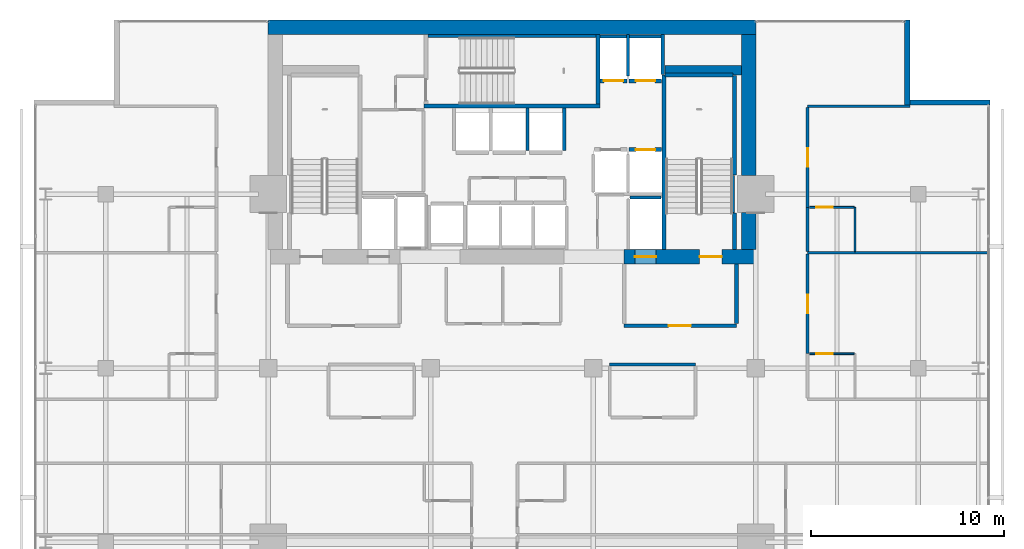
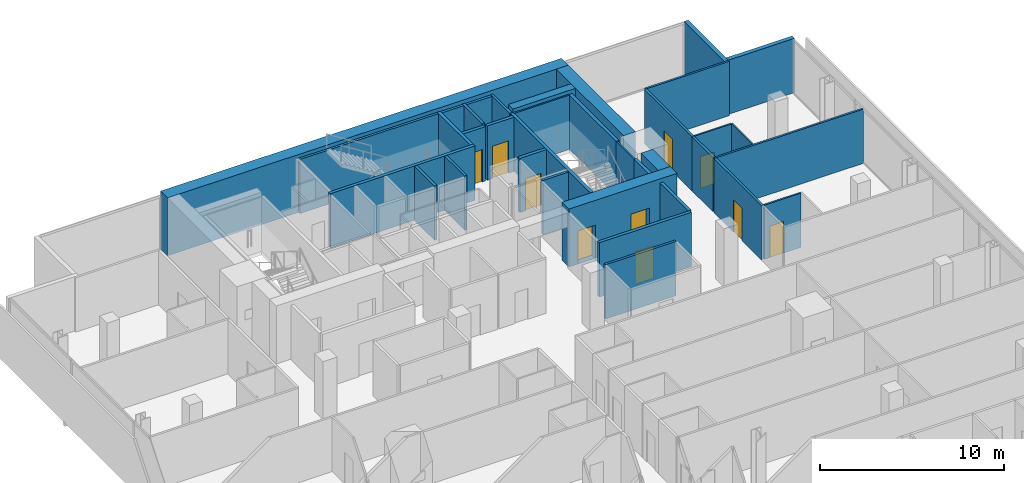
# One storey, part 31 of 34: 35 walls, 10 doors, 10 openings.
"""IFC4 building model written with IfcOpenShell, lengths in metres."""

from ifc_helpers import new_model, si_unit, direction, frame, frame_2d, origin, place, context, subcontext, project, spatial, rectangle, extrude, material, layer, layer_set, type_object, element, fill, save


model = new_model("IFC4")

# Units and contexts
model_context = context("Model", 3, precision=1e-05, world=origin(), true_north=direction((0.0, 1.0)))
body_context = subcontext(model_context, "Body", "Model", "MODEL_VIEW")
ifc_project = project(units=[si_unit("LENGTHUNIT", "METRE"), si_unit("AREAUNIT", "SQUARE_METRE"), si_unit("VOLUMEUNIT", "CUBIC_METRE"), si_unit("PLANEANGLEUNIT", "RADIAN"), si_unit("MASSUNIT", "GRAM", prefix="KILO")], contexts=[model_context])

# Site, building, storey
site_placement = place(None, origin())
site = spatial("IfcSite", under=ifc_project, at=site_placement, CompositionType="ELEMENT")
building_placement = place(site_placement, origin())
building = spatial("IfcBuilding", under=site, at=building_placement, Name="Maruvema Waterfront Hotel and Observation Tower", CompositionType="ELEMENT")
storey_placement = place(building_placement, frame((0.0, 0.0, 192.85009765625)))
storey = spatial("IfcBuildingStorey", under=building, at=storey_placement, Name="L47", CompositionType="ELEMENT", Elevation=192.85009765625)

# Wall
ifc_material_1 = material(Name="Twin-stud acoustic gypsum drywall", Category="gypsum")
ifc_layer_1 = layer(ifc_material_1, 0.14990234375, Name="Acoustic Corridor and Suite Demising Wall 150 mm")
ifc_layer_set_1 = layer_set([ifc_layer_1], Name="Twin-stud acoustic gypsum drywall")
wall_type_1 = type_object("IfcWallType", Name="Acoustic Corridor and Suite Demising Wall 150 mm", PredefinedType="PARTITIONING", material=ifc_layer_set_1)
wall_1_placement = place(storey_placement, frame((42.85009765625, 36.199951171875, 0.0), z_axis=(0.0, 0.0, 1.0), x_axis=(1.0, 0.0, 0.0)))
element("IfcWall", 1, at=wall_1_placement, inside=storey, type_object=wall_type_1, Name="L47 L47-M2 Back Wall 031", PredefinedType="PARTITIONING", context=body_context, shape_type="SweptSolid", body=[
    extrude(rectangle(XDim=4.429931640625, YDim=0.14990234375, at=frame_2d((2.21484375, 0.0))), origin(), (0.0, 0.0, 1.0), 3.60986328125),
])

# Wall, opening, door
wall_2_placement = place(storey_placement, frame((53.080078125, 36.75, 0.0), z_axis=(0.0, 0.0, 1.0), x_axis=(0.0, 1.0, 0.0)))
wall_2 = element("IfcWall", 2, at=wall_2_placement, inside=storey, type_object=wall_type_1, Name="L47 Room L47-NE1 Corridor Wall 123", PredefinedType="PARTITIONING", context=body_context, shape_type="SweptSolid", body=[
    extrude(rectangle(XDim=5.15869140625, YDim=0.14990234375, at=frame_2d((2.579345703125, 0.0))), origin(), (0.0, 0.0, 1.0), 3.60986328125),
])
opening_1_placement = place(wall_2_placement, frame((2.1044921875, 0.0, 0.0)))
opening_1 = element("IfcOpeningElement", 3, at=opening_1_placement, cuts=wall_2, Name="Opening DR-095", PredefinedType="OPENING", context=body_context, shape_type="SweptSolid", body=[
    extrude(rectangle(XDim=0.949951171875, YDim=2.14990234375, at=frame_2d((0.47509765625, 1.074951171875))), frame((0.0, 0.0849609375, 0.0), z_axis=(0.0, -1.0, 0.0), x_axis=(1.0, 0.0, 0.0)), (0.0, 0.0, 1.0), 0.169921875),
])
ifc_material_2 = material(Name="Acoustic solid-core hardwood timber leaf", Category="wood")
door_type_1 = type_object("IfcDoorType", Name="Guestroom Entrance Fire Door 950x2150 mm", OperationType="NOTDEFINED", PredefinedType="DOOR", material=ifc_material_2)
door_1_placement = place(opening_1_placement, frame((0.949951171875, 0.0, 0.0), z_axis=(0.0, 0.0, 1.0), x_axis=(-1.0, 0.0, 0.0)))
door_1 = element("IfcDoor", 4, at=door_1_placement, inside=storey, type_object=door_type_1, Name="L47 Room L47-NE1 Entrance Door", OperationType="SINGLE_SWING_RIGHT", OverallHeight=2.14990234375, OverallWidth=0.949951171875, PredefinedType="DOOR", context=body_context, shape_type="SweptSolid", body=[
    extrude(rectangle(XDim=0.949951171875, YDim=2.14990234375, at=frame_2d((0.47509765625, 1.074951171875))), frame((0.0, 0.02490234375, 0.0), z_axis=(0.0, -1.0, 0.0), x_axis=(1.0, 0.0, 0.0)), (0.0, 0.0, 1.0), 0.050048828125),
])
fill(opening_1, door_1)

# Wall
wall_3_placement = place(storey_placement, frame((53.080078125, 42.02880859375, 0.0), z_axis=(0.0, 0.0, 1.0), x_axis=(0.0, 1.0, 0.0)))
element("IfcWall", 5, at=wall_3_placement, inside=storey, type_object=wall_type_1, Name="L47 Bath L47-NE2 Wall 132", PredefinedType="PARTITIONING", context=body_context, shape_type="SweptSolid", body=[
    extrude(rectangle(XDim=2.2900390625, YDim=0.14990234375, at=frame_2d((1.14501953125, 0.0))), origin(), (0.0, 0.0, 1.0), 3.60986328125),
])

# Wall, opening, door
wall_4_placement = place(storey_placement, frame((53.080078125, 44.31884765625, 0.0), z_axis=(0.0, 0.0, 1.0), x_axis=(0.0, 1.0, 0.0)))
wall_4 = element("IfcWall", 6, at=wall_4_placement, inside=storey, type_object=wall_type_1, Name="L47 Room L47-NE2 Corridor Wall 133", PredefinedType="PARTITIONING", context=body_context, shape_type="SweptSolid", body=[
    extrude(rectangle(XDim=5.15869140625, YDim=0.14990234375, at=frame_2d((2.579345703125, 0.0))), origin(), (0.0, 0.0, 1.0), 3.60986328125),
])
opening_2_placement = place(wall_4_placement, frame((2.104248046875, 0.0, 0.0)))
opening_2 = element("IfcOpeningElement", 7, at=opening_2_placement, cuts=wall_4, Name="Opening DR-095", PredefinedType="OPENING", context=body_context, shape_type="SweptSolid", body=[
    extrude(rectangle(XDim=0.949951171875, YDim=2.14990234375, at=frame_2d((0.47509765625, 1.074951171875))), frame((0.0, 0.0849609375, 0.0), z_axis=(0.0, -1.0, 0.0), x_axis=(1.0, 0.0, 0.0)), (0.0, 0.0, 1.0), 0.169921875),
])
door_2_placement = place(opening_2_placement, frame((0.949951171875, 0.0, 0.0), z_axis=(0.0, 0.0, 1.0), x_axis=(-1.0, 0.0, 0.0)))
door_2 = element("IfcDoor", 8, at=door_2_placement, inside=storey, type_object=door_type_1, Name="L47 Room L47-NE2 Entrance Door", OperationType="SINGLE_SWING_RIGHT", OverallHeight=2.14990234375, OverallWidth=0.949951171875, PredefinedType="DOOR", context=body_context, shape_type="SweptSolid", body=[
    extrude(rectangle(XDim=0.949951171875, YDim=2.14990234375, at=frame_2d((0.47509765625, 1.074951171875))), frame((0.0, 0.02490234375, 0.0), z_axis=(0.0, -1.0, 0.0), x_axis=(1.0, 0.0, 0.0)), (0.0, 0.0, 1.0), 0.050048828125),
])
fill(opening_2, door_2)

# Walls
ifc_material_3 = material(Name="Precast concrete C45/55", Category="concrete")
ifc_layer_2 = layer(ifc_material_3, 0.14990234375, Name="Core Shaft Furring Wall 150 mm")
ifc_layer_set_2 = layer_set([ifc_layer_2], Name="Precast concrete C45/55")
wall_type_2 = type_object("IfcWallType", Name="Core Shaft Furring Wall 150 mm", PredefinedType="SOLIDWALL", material=ifc_layer_set_2)
wall_5_placement = place(storey_placement, frame((33.449951171875, 53.175048828125, 0.0), z_axis=(0.0, 0.0, 1.0), x_axis=(1.0, 0.0, 0.0)))
element("IfcWall", 9, at=wall_5_placement, inside=storey, type_object=wall_type_2, Name="L47 Stairwell ST-02 North Furring Wall", PredefinedType="SOLIDWALL", context=body_context, shape_type="SweptSolid", body=[
    extrude(rectangle(XDim=8.699951171875, YDim=0.14990234375, at=frame_2d((4.35009765625, 0.0))), origin(), (0.0, 0.0, 1.0), 3.60986328125),
])
ifc_material_4 = material(Name="Precast concrete C45/55", Category="concrete")
ifc_layer_3 = layer(ifc_material_4, 0.199951171875, Name="Core Shaft and Stairwell Enclosure Wall 200 mm")
ifc_layer_set_3 = layer_set([ifc_layer_3], Name="Precast concrete C45/55")
wall_type_3 = type_object("IfcWallType", Name="Core Shaft and Stairwell Enclosure Wall 200 mm", PredefinedType="SOLIDWALL", material=ifc_layer_set_3)
wall_6_placement = place(storey_placement, frame((33.25, 49.550048828125, 0.0), z_axis=(0.0, 0.0, 1.0), x_axis=(1.0, 0.0, 0.0)))
element("IfcWall", 10, at=wall_6_placement, inside=storey, type_object=wall_type_3, Name="L47 Stairwell ST-02 Shaft Wall", PredefinedType="SOLIDWALL", context=body_context, shape_type="SweptSolid", body=[
    extrude(rectangle(XDim=9.10009765625, YDim=0.199951171875, at=frame_2d((4.550048828125, 0.0))), origin(), (0.0, 0.0, 1.0), 3.60986328125),
])
wall_7_placement = place(storey_placement, frame((42.25, 49.64990234375, 0.0), z_axis=(0.0, 0.0, 1.0), x_axis=(0.0, 1.0, 0.0)))
element("IfcWall", 11, at=wall_7_placement, inside=storey, type_object=wall_type_3, Name="L47 Stairwell ST-02 Shaft Wall", PredefinedType="SOLIDWALL", context=body_context, shape_type="SweptSolid", body=[
    extrude(rectangle(XDim=3.60009765625, YDim=0.199951171875, at=frame_2d((1.800048828125, 0.0))), origin(), (0.0, 0.0, 1.0), 3.60986328125),
])
wall_8_placement = place(storey_placement, frame((45.64990234375, 42.14990234375, 0.0), z_axis=(0.0, 0.0, 1.0), x_axis=(0.0, 1.0, 0.0)))
element("IfcWall", 12, at=wall_8_placement, inside=storey, type_object=wall_type_3, Name="L47 Stairwell ST-03 West Shaft Wall", PredefinedType="SOLIDWALL", context=body_context, shape_type="SweptSolid", body=[
    extrude(rectangle(XDim=9.0, YDim=0.199951171875, at=frame_2d((4.5, 0.0))), origin(), (0.0, 0.0, 1.0), 3.60986328125),
])
wall_9_placement = place(storey_placement, frame((49.300048828125, 42.14990234375, 0.0), z_axis=(0.0, 0.0, 1.0), x_axis=(0.0, 1.0, 0.0)))
element("IfcWall", 13, at=wall_9_placement, inside=storey, type_object=wall_type_3, Name="L47 Stairwell ST-03 Shaft Lining Wall", PredefinedType="SOLIDWALL", context=body_context, shape_type="SweptSolid", body=[
    extrude(rectangle(XDim=1.8701171875, YDim=0.199951171875, at=frame_2d((0.93505859375, 0.0))), origin(), (0.0, 0.0, 1.0), 3.60986328125),
])
wall_10_placement = place(storey_placement, frame((49.300048828125, 45.97998046875, 0.0), z_axis=(0.0, 0.0, 1.0), x_axis=(0.0, 1.0, 0.0)))
element("IfcWall", 14, at=wall_10_placement, inside=storey, type_object=wall_type_3, Name="L47 Stairwell ST-03 Shaft Lining Wall", PredefinedType="SOLIDWALL", context=body_context, shape_type="SweptSolid", body=[
    extrude(rectangle(XDim=5.14013671875, YDim=0.199951171875, at=frame_2d((2.570068359375, 0.0))), origin(), (0.0, 0.0, 1.0), 3.60986328125),
])
wall_11_placement = place(storey_placement, frame((45.719970703125, 51.14990234375, 0.0), z_axis=(0.0, 0.0, 1.0), x_axis=(1.0, 0.0, 0.0)))
element("IfcWall", 15, at=wall_11_placement, inside=storey, type_object=wall_type_3, Name="L47 Stairwell ST-03 Shaft Lining Wall", PredefinedType="SOLIDWALL", context=body_context, shape_type="SweptSolid", body=[
    extrude(rectangle(XDim=3.5, YDim=0.199951171875, at=frame_2d((1.75, 0.0))), origin(), (0.0, 0.0, 1.0), 3.60986328125),
])

# Wall, opening, door
wall_12_placement = place(storey_placement, frame((43.860107421875, 47.300048828125, 0.0), z_axis=(0.0, 0.0, 1.0), x_axis=(1.0, 0.0, 0.0)))
wall_12 = element("IfcWall", 16, at=wall_12_placement, inside=storey, type_object=wall_type_3, Name="L47 Lift LF-06 Hoistway Front Wall", PredefinedType="SOLIDWALL", context=body_context, shape_type="SweptSolid", body=[
    extrude(rectangle(XDim=1.679931640625, YDim=0.199951171875, at=frame_2d((0.83984375, 0.0))), origin(), (0.0, 0.0, 1.0), 3.60986328125),
])
opening_3_placement = place(wall_12_placement, frame((0.340087890625, 0.0, 0.0)))
opening_3 = element("IfcOpeningElement", 17, at=opening_3_placement, cuts=wall_12, Name="Opening LD-01", PredefinedType="OPENING", context=body_context, shape_type="SweptSolid", body=[
    extrude(rectangle(XDim=1.0, YDim=2.14990234375, at=frame_2d((0.5, 1.074951171875))), frame((0.0, 0.10986328125, 0.0), z_axis=(0.0, -1.0, 0.0), x_axis=(1.0, 0.0, 0.0)), (0.0, 0.0, 1.0), 0.219970703125),
])
ifc_material_5 = material(Name="Brushed stainless steel Grade 316", Category="steel")
door_type_2 = type_object("IfcDoorType", Name="Passenger Lift Sliding Landing Door 1000x2150 mm", OperationType="SLIDING_TO_LEFT", PredefinedType="DOOR", material=ifc_material_5)
door_3_placement = place(opening_3_placement, origin())
door_3 = element("IfcDoor", 18, at=door_3_placement, inside=storey, type_object=door_type_2, Name="L47 Lift LF-06 Sliding Landing Door", OperationType="SLIDING_TO_LEFT", OverallHeight=2.14990234375, OverallWidth=1.0, PredefinedType="DOOR", context=body_context, shape_type="SweptSolid", body=[
    extrude(rectangle(XDim=1.0, YDim=2.14990234375, at=frame_2d((0.5, 1.074951171875))), frame((0.0, 0.02490234375, 0.0), z_axis=(0.0, -1.0, 0.0), x_axis=(1.0, 0.0, 0.0)), (0.0, 0.0, 1.0), 0.050048828125),
])
fill(opening_3, door_3)

wall_13_placement = place(storey_placement, frame((42.360107421875, 50.85009765625, 0.0), z_axis=(0.0, 0.0, 1.0), x_axis=(1.0, 0.0, 0.0)))
wall_13 = element("IfcWall", 19, at=wall_13_placement, inside=storey, type_object=wall_type_3, Name="L47 Lift LF-07 Hoistway Front Wall", PredefinedType="SOLIDWALL", context=body_context, shape_type="SweptSolid", body=[
    extrude(rectangle(XDim=1.3798828125, YDim=0.199951171875, at=frame_2d((0.68994140625, 0.0))), origin(), (0.0, 0.0, 1.0), 3.60986328125),
])
opening_4_placement = place(wall_13_placement, frame((0.18994140625, 0.0, 0.0)))
opening_4 = element("IfcOpeningElement", 20, at=opening_4_placement, cuts=wall_13, Name="Opening LD-01", PredefinedType="OPENING", context=body_context, shape_type="SweptSolid", body=[
    extrude(rectangle(XDim=1.0, YDim=2.14990234375, at=frame_2d((0.5, 1.074951171875))), frame((0.0, 0.10986328125, 0.0), z_axis=(0.0, -1.0, 0.0), x_axis=(1.0, 0.0, 0.0)), (0.0, 0.0, 1.0), 0.219970703125),
])
door_4_placement = place(opening_4_placement, frame((1.0, 0.0, 0.0), z_axis=(0.0, 0.0, 1.0), x_axis=(-1.0, 0.0, 0.0)))
door_4 = element("IfcDoor", 21, at=door_4_placement, inside=storey, type_object=door_type_2, Name="L47 Lift LF-07 Sliding Landing Door", OperationType="SLIDING_TO_LEFT", OverallHeight=2.14990234375, OverallWidth=1.0, PredefinedType="DOOR", context=body_context, shape_type="SweptSolid", body=[
    extrude(rectangle(XDim=1.0, YDim=2.14990234375, at=frame_2d((0.5, 1.074951171875))), frame((0.0, 0.02490234375, 0.0), z_axis=(0.0, -1.0, 0.0), x_axis=(1.0, 0.0, 0.0)), (0.0, 0.0, 1.0), 0.050048828125),
])
fill(opening_4, door_4)

wall_14_placement = place(storey_placement, frame((43.860107421875, 50.85009765625, 0.0), z_axis=(0.0, 0.0, 1.0), x_axis=(1.0, 0.0, 0.0)))
wall_14 = element("IfcWall", 22, at=wall_14_placement, inside=storey, type_object=wall_type_3, Name="L47 Lift LF-08 Hoistway Front Wall", PredefinedType="SOLIDWALL", context=body_context, shape_type="SweptSolid", body=[
    extrude(rectangle(XDim=1.679931640625, YDim=0.199951171875, at=frame_2d((0.83984375, 0.0))), origin(), (0.0, 0.0, 1.0), 3.60986328125),
])
opening_5_placement = place(wall_14_placement, frame((0.340087890625, 0.0, 0.0)))
opening_5 = element("IfcOpeningElement", 23, at=opening_5_placement, cuts=wall_14, Name="Opening LD-01", PredefinedType="OPENING", context=body_context, shape_type="SweptSolid", body=[
    extrude(rectangle(XDim=1.0, YDim=2.14990234375, at=frame_2d((0.5, 1.074951171875))), frame((0.0, 0.10986328125, 0.0), z_axis=(0.0, -1.0, 0.0), x_axis=(1.0, 0.0, 0.0)), (0.0, 0.0, 1.0), 0.219970703125),
])
door_5_placement = place(opening_5_placement, frame((1.0, 0.0, 0.0), z_axis=(0.0, 0.0, 1.0), x_axis=(-1.0, 0.0, 0.0)))
door_5 = element("IfcDoor", 24, at=door_5_placement, inside=storey, type_object=door_type_2, Name="L47 Lift LF-08 Sliding Landing Door", OperationType="SLIDING_TO_LEFT", OverallHeight=2.14990234375, OverallWidth=1.0, PredefinedType="DOOR", context=body_context, shape_type="SweptSolid", body=[
    extrude(rectangle(XDim=1.0, YDim=2.14990234375, at=frame_2d((0.5, 1.074951171875))), frame((0.0, 0.02490234375, 0.0), z_axis=(0.0, -1.0, 0.0), x_axis=(1.0, 0.0, 0.0)), (0.0, 0.0, 1.0), 0.050048828125),
])
fill(opening_5, door_5)

# Walls
ifc_material_6 = material(Name="Concrete C70/85", Category="concrete")
ifc_layer_4 = layer(ifc_material_6, 0.5, Name="Core Shear Wall 500 mm")
ifc_layer_set_4 = layer_set([ifc_layer_4], Name="Concrete C70/85")
wall_type_4 = type_object("IfcWallType", Name="Core Shear Wall 500 mm", PredefinedType="SHEAR", material=ifc_layer_set_4)
wall_15_placement = place(storey_placement, frame((45.699951171875, 51.39990234375, 0.0), z_axis=(0.0, 0.0, 1.0), x_axis=(1.0, 0.0, 0.0)))
element("IfcWall", 25, at=wall_15_placement, inside=storey, type_object=wall_type_4, Name="L47 Internal Core Shear Wall NE 500 mm", PredefinedType="SHEAR", context=body_context, shape_type="SweptSolid", body=[
    extrude(rectangle(XDim=3.949951171875, YDim=0.5, at=frame_2d((1.97509765625, 0.0))), origin(), (0.0, 0.0, 1.0), 3.849853515625),
])
ifc_material_7 = material(Name="Concrete C70/85", Category="concrete")
ifc_layer_5 = layer(ifc_material_7, 0.75, Name="Core Shear Wall 750 mm")
ifc_layer_set_5 = layer_set([ifc_layer_5], Name="Concrete C70/85")
wall_type_5 = type_object("IfcWallType", Name="Core Shear Wall 750 mm", PredefinedType="SHEAR", material=ifc_layer_set_5)
wall_16_placement = place(storey_placement, frame((25.199951171875, 53.625, 0.0), z_axis=(0.0, 0.0, 1.0), x_axis=(1.0, 0.0, 0.0)))
element("IfcWall", 26, at=wall_16_placement, inside=storey, type_object=wall_type_5, Name="L47 North Core Shear Wall", PredefinedType="SHEAR", context=body_context, shape_type="SweptSolid", body=[
    extrude(rectangle(XDim=25.199951171875, YDim=0.75, at=frame_2d((12.60009765625, 0.0))), origin(), (0.0, 0.0, 1.0), 3.849853515625),
])

# Wall, openings, doors
wall_17_placement = place(storey_placement, frame((43.60009765625, 41.77490234375, 0.0), z_axis=(0.0, 0.0, 1.0), x_axis=(1.0, 0.0, 0.0)))
wall_17 = element("IfcWall", 27, at=wall_17_placement, inside=storey, type_object=wall_type_5, Name="L47 South-East Core Shear Wall", PredefinedType="SHEAR", context=body_context, shape_type="SweptSolid", body=[
    extrude(rectangle(XDim=6.7998046875, YDim=0.75, at=frame_2d((3.39990234375, 0.0))), origin(), (0.0, 0.0, 1.0), 3.849853515625),
])
opening_6_placement = place(wall_17_placement, frame((3.89990234375, 0.0, 0.0)))
opening_6 = element("IfcOpeningElement", 28, at=opening_6_placement, cuts=wall_17, Name="Opening SD-01", PredefinedType="OPENING", context=body_context, shape_type="SweptSolid", body=[
    extrude(rectangle(XDim=1.14990234375, YDim=2.14990234375, at=frame_2d((0.574951171875, 1.074951171875))), frame((0.0, 0.385009765625, 0.0), z_axis=(0.0, -1.0, 0.0), x_axis=(1.0, 0.0, 0.0)), (0.0, 0.0, 1.0), 0.77001953125),
])
opening_7_placement = place(wall_17_placement, frame((0.550048828125, 0.0, 0.0)))
opening_7 = element("IfcOpeningElement", 29, at=opening_7_placement, cuts=wall_17, Name="Opening LD-03", PredefinedType="OPENING", context=body_context, shape_type="SweptSolid", body=[
    extrude(rectangle(XDim=1.10009765625, YDim=2.199951171875, at=frame_2d((0.550048828125, 1.10009765625))), frame((0.0, 0.385009765625, 0.0), z_axis=(0.0, -1.0, 0.0), x_axis=(1.0, 0.0, 0.0)), (0.0, 0.0, 1.0), 0.77001953125),
])
ifc_material_8 = material(Name="Fire-rated galvanised steel leaf", Category="steel")
door_type_3 = type_object("IfcDoorType", Name="Exit Stair Fire Door 1150x2150 mm", OperationType="NOTDEFINED", PredefinedType="DOOR", material=ifc_material_8)
door_6_placement = place(opening_6_placement, origin())
door_6 = element("IfcDoor", 30, at=door_6_placement, inside=storey, type_object=door_type_3, Name="L47 Exit Stair ST-03 Fire Door", OperationType="SINGLE_SWING_RIGHT", OverallHeight=2.14990234375, OverallWidth=1.14990234375, PredefinedType="DOOR", context=body_context, shape_type="SweptSolid", body=[
    extrude(rectangle(XDim=1.14990234375, YDim=2.14990234375, at=frame_2d((0.574951171875, 1.074951171875))), frame((0.0, 0.02490234375, 0.0), z_axis=(0.0, -1.0, 0.0), x_axis=(1.0, 0.0, 0.0)), (0.0, 0.0, 1.0), 0.050048828125),
])
fill(opening_6, door_6)
ifc_material_9 = material(Name="Brushed stainless steel Grade 316", Category="steel")
door_type_4 = type_object("IfcDoorType", Name="Firefighting Lift Sliding Landing Door 1100x2200 mm", OperationType="SLIDING_TO_LEFT", PredefinedType="DOOR", material=ifc_material_9)
door_7_placement = place(opening_7_placement, frame((1.10009765625, 0.0, 0.0), z_axis=(0.0, 0.0, 1.0), x_axis=(-1.0, 0.0, 0.0)))
door_7 = element("IfcDoor", 31, at=door_7_placement, inside=storey, type_object=door_type_4, Name="L47 Firefighting Lift FL-02 Landing Door", OperationType="SLIDING_TO_LEFT", OverallHeight=2.199951171875, OverallWidth=1.10009765625, PredefinedType="DOOR", context=body_context, shape_type="SweptSolid", body=[
    extrude(rectangle(XDim=1.10009765625, YDim=2.199951171875, at=frame_2d((0.550048828125, 1.10009765625))), frame((0.0, 0.02490234375, 0.0), z_axis=(0.0, -1.0, 0.0), x_axis=(1.0, 0.0, 0.0)), (0.0, 0.0, 1.0), 0.050048828125),
])
fill(opening_7, door_7)

# Walls
wall_18_placement = place(storey_placement, frame((50.02490234375, 42.14990234375, 0.0), z_axis=(0.0, 0.0, 1.0), x_axis=(0.0, 1.0, 0.0)))
element("IfcWall", 32, at=wall_18_placement, inside=storey, type_object=wall_type_5, Name="L47 East-South Core Shear Wall", PredefinedType="SHEAR", context=body_context, shape_type="SweptSolid", body=[
    extrude(rectangle(XDim=1.900146484375, YDim=0.75, at=frame_2d((0.9501953125, 0.0))), origin(), (0.0, 0.0, 1.0), 3.849853515625),
])
wall_19_placement = place(storey_placement, frame((50.02490234375, 45.949951171875, 0.0), z_axis=(0.0, 0.0, 1.0), x_axis=(0.0, 1.0, 0.0)))
element("IfcWall", 33, at=wall_19_placement, inside=storey, type_object=wall_type_5, Name="L47 East-North Core Shear Wall", PredefinedType="SHEAR", context=body_context, shape_type="SweptSolid", body=[
    extrude(rectangle(XDim=7.300048828125, YDim=0.75, at=frame_2d((3.64990234375, 0.0))), origin(), (0.0, 0.0, 1.0), 3.849853515625),
])

# Wall, opening, door
ifc_material_10 = material(Name="Moisture-resistant cement-board drywall", Category="gypsum")
ifc_layer_6 = layer(ifc_material_10, 0.10009765625, Name="En-Suite Moisture-Resistant Partition 100 mm")
ifc_layer_set_6 = layer_set([ifc_layer_6], Name="Moisture-resistant cement-board drywall")
wall_type_6 = type_object("IfcWallType", Name="En-Suite Moisture-Resistant Partition 100 mm", PredefinedType="PARTITIONING", material=ifc_layer_set_6)
wall_20_placement = place(storey_placement, frame((53.179931640625, 36.75, 0.0), z_axis=(0.0, 0.0, 1.0), x_axis=(1.0, 0.0, 0.0)))
wall_20 = element("IfcWall", 34, at=wall_20_placement, inside=storey, type_object=wall_type_6, Name="L47 En-Suite L47-NE1 N 125", PredefinedType="PARTITIONING", context=body_context, shape_type="SweptSolid", body=[
    extrude(rectangle(XDim=2.300048828125, YDim=0.10009765625, at=frame_2d((1.14990234375, 0.0))), origin(), (0.0, 0.0, 1.0), 3.60986328125),
])
opening_8_placement = place(wall_20_placement, frame((0.35009765625, 0.0, 0.0)))
opening_8 = element("IfcOpeningElement", 35, at=opening_8_placement, cuts=wall_20, Name="Opening DR-085", PredefinedType="OPENING", context=body_context, shape_type="SweptSolid", body=[
    extrude(rectangle(XDim=0.85009765625, YDim=2.10009765625, at=frame_2d((0.425048828125, 1.050048828125))), frame((0.0, 0.06005859375, 0.0), z_axis=(0.0, -1.0, 0.0), x_axis=(1.0, 0.0, 0.0)), (0.0, 0.0, 1.0), 0.1201171875),
])
ifc_material_11 = material(Name="Moisture-resistant solid timber leaf", Category="wood")
door_type_5 = type_object("IfcDoorType", Name="En-Suite Bathroom Door 850x2100 mm", OperationType="NOTDEFINED", PredefinedType="DOOR", material=ifc_material_11)
door_8_placement = place(opening_8_placement, origin())
door_8 = element("IfcDoor", 36, at=door_8_placement, inside=storey, type_object=door_type_5, Name="L47 En-Suite L47-NE1 Door", OperationType="SINGLE_SWING_LEFT", OverallHeight=2.10009765625, OverallWidth=0.85009765625, PredefinedType="DOOR", context=body_context, shape_type="SweptSolid", body=[
    extrude(rectangle(XDim=0.85009765625, YDim=2.10009765625, at=frame_2d((0.425048828125, 1.050048828125))), frame((0.0, 0.02490234375, 0.0), z_axis=(0.0, -1.0, 0.0), x_axis=(1.0, 0.0, 0.0)), (0.0, 0.0, 1.0), 0.050048828125),
])
fill(opening_8, door_8)

# Wall
wall_21_placement = place(storey_placement, frame((55.530029296875, 42.02880859375, 0.0), z_axis=(0.0, 0.0, 1.0), x_axis=(0.0, 1.0, 0.0)))
element("IfcWall", 37, at=wall_21_placement, inside=storey, type_object=wall_type_6, Name="L47 En-Suite L47-NE2 E 134", PredefinedType="PARTITIONING", context=body_context, shape_type="SweptSolid", body=[
    extrude(rectangle(XDim=2.2900390625, YDim=0.10009765625, at=frame_2d((1.14501953125, 0.0))), origin(), (0.0, 0.0, 1.0), 3.60986328125),
])

# Wall, opening, door
wall_22_placement = place(storey_placement, frame((53.179931640625, 44.31884765625, 0.0), z_axis=(0.0, 0.0, 1.0), x_axis=(1.0, 0.0, 0.0)))
wall_22 = element("IfcWall", 38, at=wall_22_placement, inside=storey, type_object=wall_type_6, Name="L47 En-Suite L47-NE2 N 135", PredefinedType="PARTITIONING", context=body_context, shape_type="SweptSolid", body=[
    extrude(rectangle(XDim=2.300048828125, YDim=0.10009765625, at=frame_2d((1.14990234375, 0.0))), origin(), (0.0, 0.0, 1.0), 3.60986328125),
])
opening_9_placement = place(wall_22_placement, frame((0.35009765625, 0.0, 0.0)))
opening_9 = element("IfcOpeningElement", 39, at=opening_9_placement, cuts=wall_22, Name="Opening DR-085", PredefinedType="OPENING", context=body_context, shape_type="SweptSolid", body=[
    extrude(rectangle(XDim=0.85009765625, YDim=2.10009765625, at=frame_2d((0.425048828125, 1.050048828125))), frame((0.0, 0.06005859375, 0.0), z_axis=(0.0, -1.0, 0.0), x_axis=(1.0, 0.0, 0.0)), (0.0, 0.0, 1.0), 0.1201171875),
])
door_9_placement = place(opening_9_placement, origin())
door_9 = element("IfcDoor", 40, at=door_9_placement, inside=storey, type_object=door_type_5, Name="L47 En-Suite L47-NE2 Door", OperationType="SINGLE_SWING_LEFT", OverallHeight=2.10009765625, OverallWidth=0.85009765625, PredefinedType="DOOR", context=body_context, shape_type="SweptSolid", body=[
    extrude(rectangle(XDim=0.85009765625, YDim=2.10009765625, at=frame_2d((0.425048828125, 1.050048828125))), frame((0.0, 0.02490234375, 0.0), z_axis=(0.0, -1.0, 0.0), x_axis=(1.0, 0.0, 0.0)), (0.0, 0.0, 1.0), 0.050048828125),
])
fill(opening_9, door_9)

# Walls
ifc_material_12 = material(Name="Precast concrete C45/55 with honed Pernambuco granite facing", Category="masonry")
ifc_layer_7 = layer(ifc_material_12, 0.260009765625, Name="Exterior Granite Clad Spandrel and Pier Wall 260 mm")
ifc_layer_set_7 = layer_set([ifc_layer_7], Name="Precast concrete C45/55 with honed Pernambuco granite facing")
wall_type_7 = type_object("IfcWallType", Name="Exterior Granite Clad Spandrel and Pier Wall 260 mm", PredefinedType="SOLIDWALL", material=ifc_layer_set_7)
for number, where, z_axis, x_axis, name in (
    (41, (58.22998046875, 54.0, 0.0), (0.0, 0.0, 1.0), (0.0, -1.0, 0.0), "L47 Corner Notch Granite Pier Wall NE1"),
    (42, (58.10009765625, 49.72998046875, 0.0), (0.0, 0.0, 1.0), (1.0, 0.0, 0.0), "L47 Corner Notch Granite Pier Wall NE2"),
):
    element("IfcWall", number, at=place(storey_placement, frame(where, z_axis=z_axis, x_axis=x_axis)), inside=storey, type_object=wall_type_7, Name=name, PredefinedType="SOLIDWALL", context=body_context, shape_type="SweptSolid", body=[
        extrude(rectangle(XDim=4.39990234375, YDim=0.260009765625, at=frame_2d((2.199951171875, 0.0))), origin(), (0.0, 0.0, 1.0), 3.60986328125),
    ])

# Wall, opening, door
ifc_material_13 = material(Name="Autoclaved cellular concrete blockwork", Category="masonry")
ifc_layer_8 = layer(ifc_material_13, 0.199951171875, Name="Fire Compartment Masonry Wall 200 mm")
ifc_layer_set_8 = layer_set([ifc_layer_8], Name="Autoclaved cellular concrete blockwork")
wall_type_8 = type_object("IfcWallType", Name="Fire Compartment Masonry Wall 200 mm", PredefinedType="PARTITIONING", material=ifc_layer_set_8)
wall_23_placement = place(storey_placement, frame((43.60009765625, 38.199951171875, 0.0), z_axis=(0.0, 0.0, 1.0), x_axis=(1.0, 0.0, 0.0)))
wall_23 = element("IfcWall", 43, at=wall_23_placement, inside=storey, type_object=wall_type_8, Name="L47 FFL East South Wall 004", PredefinedType="PARTITIONING", context=body_context, shape_type="SweptSolid", body=[
    extrude(rectangle(XDim=5.7998046875, YDim=0.199951171875, at=frame_2d((2.89990234375, 0.0))), origin(), (0.0, 0.0, 1.0), 3.60986328125),
])
opening_10_placement = place(wall_23_placement, frame((2.300048828125, 0.0, 0.0)))
opening_10 = element("IfcOpeningElement", 44, at=opening_10_placement, cuts=wall_23, Name="Opening FD-115", PredefinedType="OPENING", context=body_context, shape_type="SweptSolid", body=[
    extrude(rectangle(XDim=1.14990234375, YDim=2.14990234375, at=frame_2d((0.574951171875, 1.074951171875))), frame((0.0, 0.10986328125, 0.0), z_axis=(0.0, -1.0, 0.0), x_axis=(1.0, 0.0, 0.0)), (0.0, 0.0, 1.0), 0.219970703125),
])
ifc_material_14 = material(Name="Fire-rated galvanised steel and vision glass", Category="steel")
door_type_6 = type_object("IfcDoorType", Name="Firefighting Lobby Fire Door 1150x2150 mm", OperationType="NOTDEFINED", PredefinedType="DOOR", material=ifc_material_14)
door_10_placement = place(opening_10_placement, frame((1.14990234375, 0.0, 0.0), z_axis=(0.0, 0.0, 1.0), x_axis=(-1.0, 0.0, 0.0)))
door_10 = element("IfcDoor", 45, at=door_10_placement, inside=storey, type_object=door_type_6, Name="L47 Firefighting Lobby East Door", OperationType="SINGLE_SWING_RIGHT", OverallHeight=2.14990234375, OverallWidth=1.14990234375, PredefinedType="DOOR", context=body_context, shape_type="SweptSolid", body=[
    extrude(rectangle(XDim=1.14990234375, YDim=2.14990234375, at=frame_2d((0.574951171875, 1.074951171875))), frame((0.0, 0.02490234375, 0.0), z_axis=(0.0, -1.0, 0.0), x_axis=(1.0, 0.0, 0.0)), (0.0, 0.0, 1.0), 0.050048828125),
])
fill(opening_10, door_10)

# Walls
wall_24_placement = place(storey_placement, frame((49.39990234375, 38.31005859375, 0.0), z_axis=(0.0, 0.0, 1.0), x_axis=(0.0, 1.0, 0.0)))
element("IfcWall", 46, at=wall_24_placement, inside=storey, type_object=wall_type_8, Name="L47 FFL East East Wall 006", PredefinedType="PARTITIONING", context=body_context, shape_type="SweptSolid", body=[
    extrude(rectangle(XDim=3.06982421875, YDim=0.199951171875, at=frame_2d((1.534912109375, 0.0))), origin(), (0.0, 0.0, 1.0), 3.60986328125),
])
ifc_material_15 = material(Name="Acoustic gypsum plasterboard drywall", Category="gypsum")
ifc_layer_9 = layer(ifc_material_15, 0.125, Name="Guestroom Acoustic Demising Wall 125 mm")
ifc_layer_set_9 = layer_set([ifc_layer_9], Name="Acoustic gypsum plasterboard drywall")
wall_type_9 = type_object("IfcWallType", Name="Guestroom Acoustic Demising Wall 125 mm", PredefinedType="PARTITIONING", material=ifc_layer_set_9)
wall_25_placement = place(storey_placement, frame((53.080078125, 49.53759765625, 0.0), z_axis=(0.0, 0.0, 1.0), x_axis=(1.0, 0.0, 0.0)))
element("IfcWall", 47, at=wall_25_placement, inside=storey, type_object=wall_type_9, Name="L47 Z2 NE Top End 117", PredefinedType="PARTITIONING", context=body_context, shape_type="SweptSolid", body=[
    extrude(rectangle(XDim=5.280029296875, YDim=0.125, at=frame_2d((2.64013671875, 0.0))), origin(), (0.0, 0.0, 1.0), 3.60986328125),
])
wall_26_placement = place(storey_placement, frame((53.080078125, 41.96875, 0.0), z_axis=(0.0, 0.0, 1.0), x_axis=(1.0, 0.0, 0.0)))
element("IfcWall", 48, at=wall_26_placement, inside=storey, type_object=wall_type_9, Name="L47 Z2 NE Demising 2 127", PredefinedType="PARTITIONING", context=body_context, shape_type="SweptSolid", body=[
    extrude(rectangle(XDim=9.31982421875, YDim=0.125, at=frame_2d((4.659912109375, 0.0))), origin(), (0.0, 0.0, 1.0), 3.60986328125),
])
ifc_material_16 = material(Name="Precast concrete C45/55", Category="concrete")
ifc_layer_10 = layer(ifc_material_16, 0.159912109375, Name="Lift Hoistway Divider Wall 160 mm")
ifc_layer_set_10 = layer_set([ifc_layer_10], Name="Precast concrete C45/55")
wall_type_10 = type_object("IfcWallType", Name="Lift Hoistway Divider Wall 160 mm", PredefinedType="SOLIDWALL", material=ifc_layer_set_10)
wall_27_placement = place(storey_placement, frame((43.89990234375, 44.830078125, 0.0), z_axis=(0.0, 0.0, 1.0), x_axis=(1.0, 0.0, 0.0)))
element("IfcWall", 49, at=wall_27_placement, inside=storey, type_object=wall_type_10, Name="L47 Lift FL-02 Rear Hoistway Wall", PredefinedType="SOLIDWALL", context=body_context, shape_type="SweptSolid", body=[
    extrude(rectangle(XDim=1.60009765625, YDim=0.159912109375, at=frame_2d((0.800048828125, 0.0))), origin(), (0.0, 0.0, 1.0), 3.60986328125),
])
wall_28_placement = place(storey_placement, frame((45.590087890625, 51.179931640625, 0.0), z_axis=(0.0, 0.0, 1.0), x_axis=(0.0, 1.0, 0.0)))
element("IfcWall", 50, at=wall_28_placement, inside=storey, type_object=wall_type_10, Name="L47 Hoistway Divider Wall", PredefinedType="SOLIDWALL", context=body_context, shape_type="SweptSolid", body=[
    extrude(rectangle(XDim=2.070068359375, YDim=0.159912109375, at=frame_2d((1.03515625, 0.0))), origin(), (0.0, 0.0, 1.0), 3.60986328125),
])
wall_29_placement = place(storey_placement, frame((43.800048828125, 51.10009765625, 0.0), z_axis=(0.0, 0.0, 1.0), x_axis=(0.0, 1.0, 0.0)))
element("IfcWall", 51, at=wall_29_placement, inside=storey, type_object=wall_type_10, Name="L47 Hoistway Divider Wall", PredefinedType="SOLIDWALL", context=body_context, shape_type="SweptSolid", body=[
    extrude(rectangle(XDim=2.14990234375, YDim=0.159912109375, at=frame_2d((1.074951171875, 0.0))), origin(), (0.0, 0.0, 1.0), 3.60986328125),
])
wall_30_placement = place(storey_placement, frame((42.360107421875, 53.139892578125, 0.0), z_axis=(0.0, 0.0, 1.0), x_axis=(1.0, 0.0, 0.0)))
element("IfcWall", 52, at=wall_30_placement, inside=storey, type_object=wall_type_10, Name="L47 Hoistway Divider Wall", PredefinedType="SOLIDWALL", context=body_context, shape_type="SweptSolid", body=[
    extrude(rectangle(XDim=3.139892578125, YDim=0.159912109375, at=frame_2d((1.56982421875, 0.0))), origin(), (0.0, 0.0, 1.0), 3.60986328125),
])
for number, where, z_axis, x_axis, name in (
    (53, (38.60009765625, 47.25, 0.0), (0.0, 0.0, 1.0), (0.0, 1.0, 0.0), "L47 Hoistway Divider Wall"),
    (54, (40.5, 47.25, 0.0), (0.0, 0.0, 1.0), (0.0, 1.0, 0.0), "L47 Hoistway Divider Wall"),
):
    element("IfcWall", number, at=place(storey_placement, frame(where, z_axis=z_axis, x_axis=x_axis)), inside=storey, type_object=wall_type_10, Name=name, PredefinedType="SOLIDWALL", context=body_context, shape_type="SweptSolid", body=[
        extrude(rectangle(XDim=2.18994140625, YDim=0.159912109375, at=frame_2d((1.094970703125, 0.0))), origin(), (0.0, 0.0, 1.0), 3.60986328125),
    ])
ifc_material_17 = material(Name="Precast concrete C45/55", Category="concrete")
ifc_layer_11 = layer(ifc_material_17, 0.10009765625, Name="Stairwell Stringer Cheek Wall 100 mm")
ifc_layer_set_11 = layer_set([ifc_layer_11], Name="Precast concrete C45/55")
wall_type_11 = type_object("IfcWallType", Name="Stairwell Stringer Cheek Wall 100 mm", PredefinedType="SOLIDWALL", material=ifc_layer_set_11)
wall_31_placement = place(storey_placement, frame((49.248046875, 44.0400390625, 0.0), z_axis=(0.0, 0.0, 1.0), x_axis=(0.0, 1.0, 0.0)))
element("IfcWall", 55, at=wall_31_placement, inside=storey, type_object=wall_type_11, Name="L47 Stairwell ST-03 Mega-Column Cheek Wall", PredefinedType="SOLIDWALL", context=body_context, shape_type="SweptSolid", body=[
    extrude(rectangle(XDim=1.919921875, YDim=0.10009765625, at=frame_2d((0.9599609375, 0.0))), origin(), (0.0, 0.0, 1.0), 3.60986328125),
])

save(model, "model.ifc")
